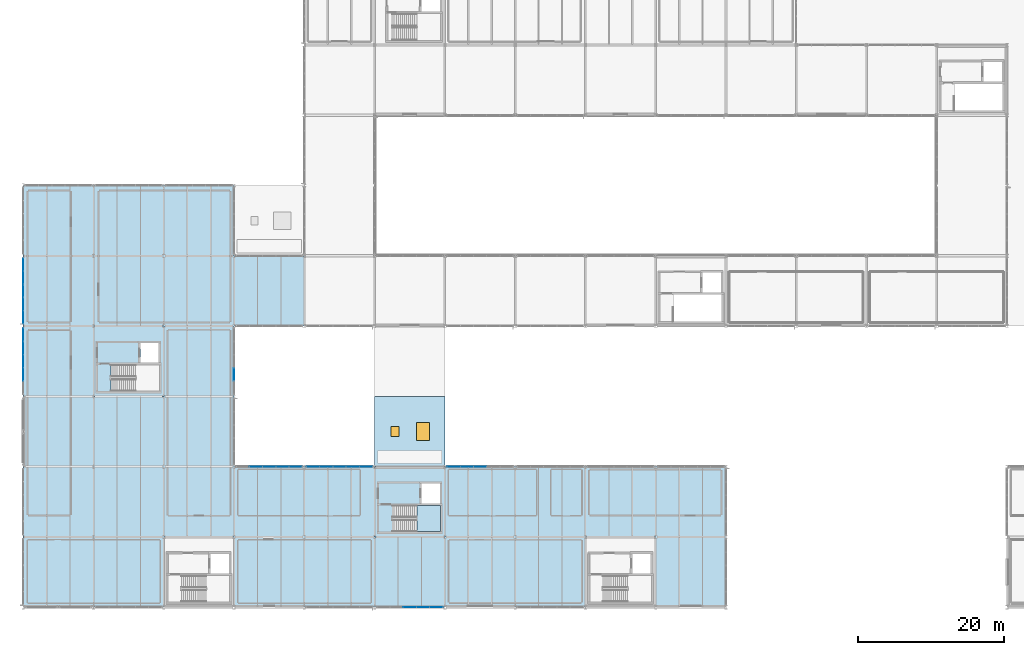
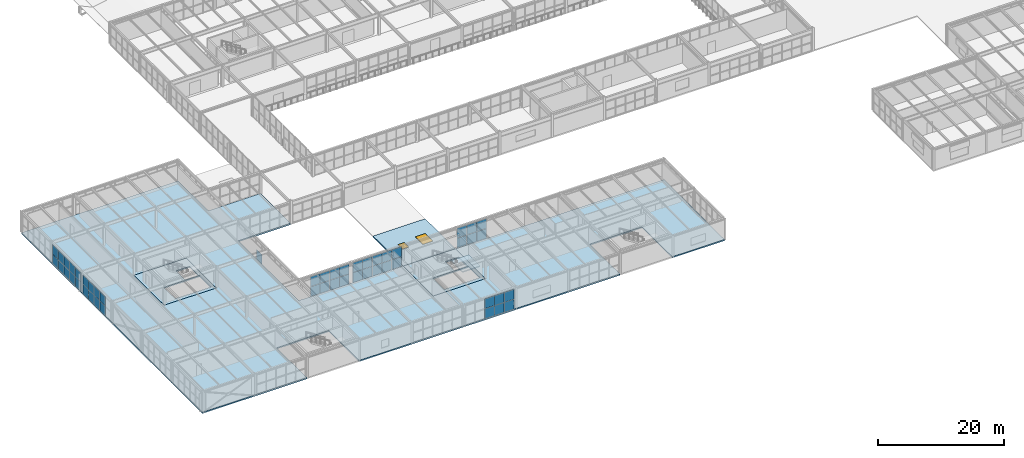
# One storey, part 132 of 170: 49 plates, 5 slabs, 1 door, 1 window, 2 openings, 8 elements without a shape of their own.
"""IFC4 building model written with IfcOpenShell, lengths in metres."""

from ifc_helpers import new_model, si_unit, direction, frame, origin, origin_2d, place, context, subcontext, project, spatial, polyline, rectangle, outline, extrude, material, layer, layer_set, type_object, element, fill, aggregate, save


model = new_model("IFC4")

# Units and contexts
model_context = context("Model", 3, precision=1e-05, world=origin(), true_north=direction((0.0, 1.0)))
body_context = subcontext(model_context, "Body", "Model", "MODEL_VIEW")
ifc_project = project(units=[si_unit("LENGTHUNIT", "METRE"), si_unit("AREAUNIT", "SQUARE_METRE"), si_unit("VOLUMEUNIT", "CUBIC_METRE"), si_unit("PLANEANGLEUNIT", "RADIAN"), si_unit("MASSUNIT", "GRAM", prefix="KILO")], contexts=[model_context])

# Site, building, storey
site_placement = place(None, origin())
site = spatial("IfcSite", under=ifc_project, at=site_placement, CompositionType="ELEMENT")
building_placement = place(site_placement, origin())
building = spatial("IfcBuilding", under=site, at=building_placement, Name="Coralgate Yard Interchange", CompositionType="ELEMENT")
storey_placement = place(building_placement, frame((0.0, 0.0, 6.0)))
storey = spatial("IfcBuildingStorey", under=building, at=storey_placement, Name="L01", CompositionType="ELEMENT", Elevation=6.0)

# Curtain wall, plates
ifc_material_1 = material(Name="Anodised coastal aluminium and solar-control low-E glass", Category="aluminium")
curtain_wall_type_1 = type_object("IfcCurtainWallType", Name="CW-CW-L01-A", PredefinedType="NOTDEFINED", material=ifc_material_1)
curtain_wall_1_placement = place(storey_placement, origin())
curtain_wall_1 = element("IfcCurtainWall", 1, at=curtain_wall_1_placement, inside=storey, type_object=curtain_wall_type_1, Name="L01 unitised curtain wall CW-L01-W-00-03", PredefinedType="NOTDEFINED")
ifc_material_2 = material(Name="Solar-control double-glazed low-E glass unit", Category="glass")
ifc_layer_1 = layer(ifc_material_2, 0.031982421875)
ifc_layer_set_1 = layer_set([ifc_layer_1], Name="Solar-control double-glazed low-E glass unit")
plate_type = type_object("IfcPlateType", Name="PLT-CP-32", PredefinedType="CURTAIN_PANEL", material=ifc_layer_set_1)
plate_1_placement = place(storey_placement, frame((0.0, 31.800048828125, 0.02490234375), z_axis=(0.0, 0.0, 1.0), x_axis=(0.0, 1.0, 0.0)))
plate_1 = element("IfcPlate", 2, at=plate_1_placement, type_object=plate_type, Name="CW-L01-W-00-03 solar-control glazing panel 2-1", PredefinedType="CURTAIN_PANEL", context=body_context, shape_type="SweptSolid", body=[
    extrude(rectangle(XDim=1.75, YDim=0.031982421875, at=origin_2d()), origin(), (0.0, 0.0, 1.0), 1.808349609375),
])
plate_2_placement = place(storey_placement, frame((0.0, 31.800048828125, 1.88330078125), z_axis=(0.0, 0.0, 1.0), x_axis=(0.0, 1.0, 0.0)))
plate_2 = element("IfcPlate", 3, at=plate_2_placement, type_object=plate_type, Name="CW-L01-W-00-03 solar-control glazing panel 2-2", PredefinedType="CURTAIN_PANEL", context=body_context, shape_type="SweptSolid", body=[
    extrude(rectangle(XDim=1.75, YDim=0.031982421875, at=origin_2d()), origin(), (0.0, 0.0, 1.0), 1.808349609375),
])
plate_3_placement = place(storey_placement, frame((0.0, 33.60009765625, 0.02490234375), z_axis=(0.0, 0.0, 1.0), x_axis=(0.0, 1.0, 0.0)))
plate_3 = element("IfcPlate", 4, at=plate_3_placement, type_object=plate_type, Name="CW-L01-W-00-03 solar-control glazing panel 3-1", PredefinedType="CURTAIN_PANEL", context=body_context, shape_type="SweptSolid", body=[
    extrude(rectangle(XDim=1.75, YDim=0.031982421875, at=origin_2d()), origin(), (0.0, 0.0, 1.0), 1.808349609375),
])
plate_4_placement = place(storey_placement, frame((0.0, 33.60009765625, 1.88330078125), z_axis=(0.0, 0.0, 1.0), x_axis=(0.0, 1.0, 0.0)))
plate_4 = element("IfcPlate", 5, at=plate_4_placement, type_object=plate_type, Name="CW-L01-W-00-03 solar-control glazing panel 3-2", PredefinedType="CURTAIN_PANEL", context=body_context, shape_type="SweptSolid", body=[
    extrude(rectangle(XDim=1.75, YDim=0.031982421875, at=origin_2d()), origin(), (0.0, 0.0, 1.0), 1.808349609375),
])
plate_5_placement = place(storey_placement, frame((0.0, 35.39990234375, 0.02490234375), z_axis=(0.0, 0.0, 1.0), x_axis=(0.0, 1.0, 0.0)))
plate_5 = element("IfcPlate", 6, at=plate_5_placement, type_object=plate_type, Name="CW-L01-W-00-03 solar-control glazing panel 4-1", PredefinedType="CURTAIN_PANEL", context=body_context, shape_type="SweptSolid", body=[
    extrude(rectangle(XDim=1.75, YDim=0.031982421875, at=origin_2d()), origin(), (0.0, 0.0, 1.0), 1.808349609375),
])
plate_6_placement = place(storey_placement, frame((0.0, 35.39990234375, 1.88330078125), z_axis=(0.0, 0.0, 1.0), x_axis=(0.0, 1.0, 0.0)))
plate_6 = element("IfcPlate", 7, at=plate_6_placement, type_object=plate_type, Name="CW-L01-W-00-03 solar-control glazing panel 4-2", PredefinedType="CURTAIN_PANEL", context=body_context, shape_type="SweptSolid", body=[
    extrude(rectangle(XDim=1.75, YDim=0.031982421875, at=origin_2d()), origin(), (0.0, 0.0, 1.0), 1.808349609375),
])
plate_7_placement = place(storey_placement, frame((0.0, 37.199951171875, 0.02490234375), z_axis=(0.0, 0.0, 1.0), x_axis=(0.0, 1.0, 0.0)))
plate_7 = element("IfcPlate", 8, at=plate_7_placement, type_object=plate_type, Name="CW-L01-W-00-03 solar-control glazing panel 5-1", PredefinedType="CURTAIN_PANEL", context=body_context, shape_type="SweptSolid", body=[
    extrude(rectangle(XDim=1.75, YDim=0.031982421875, at=origin_2d()), origin(), (0.0, 0.0, 1.0), 1.808349609375),
])
plate_8_placement = place(storey_placement, frame((0.0, 37.199951171875, 1.88330078125), z_axis=(0.0, 0.0, 1.0), x_axis=(0.0, 1.0, 0.0)))
plate_8 = element("IfcPlate", 9, at=plate_8_placement, type_object=plate_type, Name="CW-L01-W-00-03 solar-control glazing panel 5-2", PredefinedType="CURTAIN_PANEL", context=body_context, shape_type="SweptSolid", body=[
    extrude(rectangle(XDim=1.75, YDim=0.031982421875, at=origin_2d()), origin(), (0.0, 0.0, 1.0), 1.808349609375),
])
aggregate(curtain_wall_1, [plate_1, plate_2, plate_3, plate_4, plate_5, plate_6, plate_7, plate_8])

curtain_wall_type_2 = type_object("IfcCurtainWallType", Name="CW-CW-L01-B", PredefinedType="NOTDEFINED", material=ifc_material_1)
curtain_wall_2_placement = place(storey_placement, origin())
curtain_wall_2 = element("IfcCurtainWall", 10, at=curtain_wall_2_placement, inside=storey, type_object=curtain_wall_type_2, Name="L01 unitised curtain wall CW-L01-W-00-04", PredefinedType="NOTDEFINED")
plate_9_placement = place(storey_placement, frame((0.0, 39.60009765625, 0.02490234375), z_axis=(0.0, 0.0, 1.0), x_axis=(0.0, 1.0, 0.0)))
plate_9 = element("IfcPlate", 11, at=plate_9_placement, type_object=plate_type, Name="CW-L01-W-00-04 solar-control glazing panel 1-1", PredefinedType="CURTAIN_PANEL", context=body_context, shape_type="SweptSolid", body=[
    extrude(rectangle(XDim=1.75, YDim=0.031982421875, at=origin_2d()), origin(), (0.0, 0.0, 1.0), 1.808349609375),
])
plate_10_placement = place(storey_placement, frame((0.0, 39.60009765625, 1.88330078125), z_axis=(0.0, 0.0, 1.0), x_axis=(0.0, 1.0, 0.0)))
plate_10 = element("IfcPlate", 12, at=plate_10_placement, type_object=plate_type, Name="CW-L01-W-00-04 solar-control glazing panel 1-2", PredefinedType="CURTAIN_PANEL", context=body_context, shape_type="SweptSolid", body=[
    extrude(rectangle(XDim=1.75, YDim=0.031982421875, at=origin_2d()), origin(), (0.0, 0.0, 1.0), 1.808349609375),
])
plate_11_placement = place(storey_placement, frame((0.0, 41.39990234375, 0.02490234375), z_axis=(0.0, 0.0, 1.0), x_axis=(0.0, 1.0, 0.0)))
plate_11 = element("IfcPlate", 13, at=plate_11_placement, type_object=plate_type, Name="CW-L01-W-00-04 solar-control glazing panel 2-1", PredefinedType="CURTAIN_PANEL", context=body_context, shape_type="SweptSolid", body=[
    extrude(rectangle(XDim=1.75, YDim=0.031982421875, at=origin_2d()), origin(), (0.0, 0.0, 1.0), 1.808349609375),
])
plate_12_placement = place(storey_placement, frame((0.0, 41.39990234375, 1.88330078125), z_axis=(0.0, 0.0, 1.0), x_axis=(0.0, 1.0, 0.0)))
plate_12 = element("IfcPlate", 14, at=plate_12_placement, type_object=plate_type, Name="CW-L01-W-00-04 solar-control glazing panel 2-2", PredefinedType="CURTAIN_PANEL", context=body_context, shape_type="SweptSolid", body=[
    extrude(rectangle(XDim=1.75, YDim=0.031982421875, at=origin_2d()), origin(), (0.0, 0.0, 1.0), 1.808349609375),
])
plate_13_placement = place(storey_placement, frame((0.0, 43.199951171875, 0.02490234375), z_axis=(0.0, 0.0, 1.0), x_axis=(0.0, 1.0, 0.0)))
plate_13 = element("IfcPlate", 15, at=plate_13_placement, type_object=plate_type, Name="CW-L01-W-00-04 solar-control glazing panel 3-1", PredefinedType="CURTAIN_PANEL", context=body_context, shape_type="SweptSolid", body=[
    extrude(rectangle(XDim=1.75, YDim=0.031982421875, at=origin_2d()), origin(), (0.0, 0.0, 1.0), 1.808349609375),
])
plate_14_placement = place(storey_placement, frame((0.0, 43.199951171875, 1.88330078125), z_axis=(0.0, 0.0, 1.0), x_axis=(0.0, 1.0, 0.0)))
plate_14 = element("IfcPlate", 16, at=plate_14_placement, type_object=plate_type, Name="CW-L01-W-00-04 solar-control glazing panel 3-2", PredefinedType="CURTAIN_PANEL", context=body_context, shape_type="SweptSolid", body=[
    extrude(rectangle(XDim=1.75, YDim=0.031982421875, at=origin_2d()), origin(), (0.0, 0.0, 1.0), 1.808349609375),
])
plate_15_placement = place(storey_placement, frame((0.0, 45.0, 0.02490234375), z_axis=(0.0, 0.0, 1.0), x_axis=(0.0, 1.0, 0.0)))
plate_15 = element("IfcPlate", 17, at=plate_15_placement, type_object=plate_type, Name="CW-L01-W-00-04 solar-control glazing panel 4-1", PredefinedType="CURTAIN_PANEL", context=body_context, shape_type="SweptSolid", body=[
    extrude(rectangle(XDim=1.75, YDim=0.031982421875, at=origin_2d()), origin(), (0.0, 0.0, 1.0), 1.808349609375),
])
plate_16_placement = place(storey_placement, frame((0.0, 45.0, 1.88330078125), z_axis=(0.0, 0.0, 1.0), x_axis=(0.0, 1.0, 0.0)))
plate_16 = element("IfcPlate", 18, at=plate_16_placement, type_object=plate_type, Name="CW-L01-W-00-04 solar-control glazing panel 4-2", PredefinedType="CURTAIN_PANEL", context=body_context, shape_type="SweptSolid", body=[
    extrude(rectangle(XDim=1.75, YDim=0.031982421875, at=origin_2d()), origin(), (0.0, 0.0, 1.0), 1.808349609375),
])
plate_17_placement = place(storey_placement, frame((0.0, 46.800048828125, 0.02490234375), z_axis=(0.0, 0.0, 1.0), x_axis=(0.0, 1.0, 0.0)))
plate_17 = element("IfcPlate", 19, at=plate_17_placement, type_object=plate_type, Name="CW-L01-W-00-04 solar-control glazing panel 5-1", PredefinedType="CURTAIN_PANEL", context=body_context, shape_type="SweptSolid", body=[
    extrude(rectangle(XDim=1.75, YDim=0.031982421875, at=origin_2d()), origin(), (0.0, 0.0, 1.0), 1.808349609375),
])
plate_18_placement = place(storey_placement, frame((0.0, 46.800048828125, 1.88330078125), z_axis=(0.0, 0.0, 1.0), x_axis=(0.0, 1.0, 0.0)))
plate_18 = element("IfcPlate", 20, at=plate_18_placement, type_object=plate_type, Name="CW-L01-W-00-04 solar-control glazing panel 5-2", PredefinedType="CURTAIN_PANEL", context=body_context, shape_type="SweptSolid", body=[
    extrude(rectangle(XDim=1.75, YDim=0.031982421875, at=origin_2d()), origin(), (0.0, 0.0, 1.0), 1.808349609375),
])
aggregate(curtain_wall_2, [plate_9, plate_10, plate_11, plate_12, plate_13, plate_14, plate_15, plate_16, plate_17, plate_18])

# Curtain wall, plate
curtain_wall_3_placement = place(storey_placement, origin())
curtain_wall_3 = element("IfcCurtainWall", 21, at=curtain_wall_3_placement, inside=storey, type_object=curtain_wall_type_1, Name="L01 unitised curtain wall CW-L01-E-02-03", PredefinedType="NOTDEFINED")
plate_19_placement = place(storey_placement, frame((28.800048828125, 31.800048828125, 0.02490234375), z_axis=(0.0, 0.0, 1.0), x_axis=(0.0, -1.0, 0.0)))
plate_19 = element("IfcPlate", 22, at=plate_19_placement, type_object=plate_type, Name="CW-L01-E-02-03 solar-control glazing panel 4-1", PredefinedType="CURTAIN_PANEL", context=body_context, shape_type="SweptSolid", body=[
    extrude(rectangle(XDim=1.75, YDim=0.031982421875, at=origin_2d()), origin(), (0.0, 0.0, 1.0), 1.808349609375),
])
aggregate(curtain_wall_3, [plate_19])

# Curtain wall, plates
curtain_wall_4_placement = place(storey_placement, origin())
curtain_wall_4 = element("IfcCurtainWall", 23, at=curtain_wall_4_placement, inside=storey, type_object=curtain_wall_type_1, Name="L01 unitised curtain wall CW-L01-N-03-01", PredefinedType="NOTDEFINED")
plate_20_placement = place(storey_placement, frame((31.800048828125, 19.199951171875, 0.025146484375), z_axis=(0.0, 0.0, 1.0), x_axis=(1.0, 0.0, 0.0)))
plate_20 = element("IfcPlate", 24, at=plate_20_placement, type_object=plate_type, Name="CW-L01-N-03-01 solar-control glazing panel 2-1", PredefinedType="CURTAIN_PANEL", context=body_context, shape_type="SweptSolid", body=[
    extrude(rectangle(XDim=1.75, YDim=0.031982421875, at=origin_2d()), origin(), (0.0, 0.0, 1.0), 1.89990234375),
])
plate_21_placement = place(storey_placement, frame((31.800048828125, 19.199951171875, 1.97509765625), z_axis=(0.0, 0.0, 1.0), x_axis=(1.0, 0.0, 0.0)))
plate_21 = element("IfcPlate", 25, at=plate_21_placement, type_object=plate_type, Name="CW-L01-N-03-01 solar-control glazing panel 2-2", PredefinedType="CURTAIN_PANEL", context=body_context, shape_type="SweptSolid", body=[
    extrude(rectangle(XDim=1.75, YDim=0.031982421875, at=origin_2d()), origin(), (0.0, 0.0, 1.0), 1.89990234375),
])
plate_22_placement = place(storey_placement, frame((33.60009765625, 19.199951171875, 0.025146484375), z_axis=(0.0, 0.0, 1.0), x_axis=(1.0, 0.0, 0.0)))
plate_22 = element("IfcPlate", 26, at=plate_22_placement, type_object=plate_type, Name="CW-L01-N-03-01 solar-control glazing panel 3-1", PredefinedType="CURTAIN_PANEL", context=body_context, shape_type="SweptSolid", body=[
    extrude(rectangle(XDim=1.75, YDim=0.031982421875, at=origin_2d()), origin(), (0.0, 0.0, 1.0), 1.89990234375),
])
plate_23_placement = place(storey_placement, frame((33.60009765625, 19.199951171875, 1.97509765625), z_axis=(0.0, 0.0, 1.0), x_axis=(1.0, 0.0, 0.0)))
plate_23 = element("IfcPlate", 27, at=plate_23_placement, type_object=plate_type, Name="CW-L01-N-03-01 solar-control glazing panel 3-2", PredefinedType="CURTAIN_PANEL", context=body_context, shape_type="SweptSolid", body=[
    extrude(rectangle(XDim=1.75, YDim=0.031982421875, at=origin_2d()), origin(), (0.0, 0.0, 1.0), 1.89990234375),
])
plate_24_placement = place(storey_placement, frame((35.39990234375, 19.199951171875, 0.025146484375), z_axis=(0.0, 0.0, 1.0), x_axis=(1.0, 0.0, 0.0)))
plate_24 = element("IfcPlate", 28, at=plate_24_placement, type_object=plate_type, Name="CW-L01-N-03-01 solar-control glazing panel 4-1", PredefinedType="CURTAIN_PANEL", context=body_context, shape_type="SweptSolid", body=[
    extrude(rectangle(XDim=1.75, YDim=0.031982421875, at=origin_2d()), origin(), (0.0, 0.0, 1.0), 1.89990234375),
])
plate_25_placement = place(storey_placement, frame((35.39990234375, 19.199951171875, 1.97509765625), z_axis=(0.0, 0.0, 1.0), x_axis=(1.0, 0.0, 0.0)))
plate_25 = element("IfcPlate", 29, at=plate_25_placement, type_object=plate_type, Name="CW-L01-N-03-01 solar-control glazing panel 4-2", PredefinedType="CURTAIN_PANEL", context=body_context, shape_type="SweptSolid", body=[
    extrude(rectangle(XDim=1.75, YDim=0.031982421875, at=origin_2d()), origin(), (0.0, 0.0, 1.0), 1.89990234375),
])
plate_26_placement = place(storey_placement, frame((37.199951171875, 19.199951171875, 0.025146484375), z_axis=(0.0, 0.0, 1.0), x_axis=(1.0, 0.0, 0.0)))
plate_26 = element("IfcPlate", 30, at=plate_26_placement, type_object=plate_type, Name="CW-L01-N-03-01 solar-control glazing panel 5-1", PredefinedType="CURTAIN_PANEL", context=body_context, shape_type="SweptSolid", body=[
    extrude(rectangle(XDim=1.75, YDim=0.031982421875, at=origin_2d()), origin(), (0.0, 0.0, 1.0), 1.89990234375),
])
plate_27_placement = place(storey_placement, frame((37.199951171875, 19.199951171875, 1.97509765625), z_axis=(0.0, 0.0, 1.0), x_axis=(1.0, 0.0, 0.0)))
plate_27 = element("IfcPlate", 31, at=plate_27_placement, type_object=plate_type, Name="CW-L01-N-03-01 solar-control glazing panel 5-2", PredefinedType="CURTAIN_PANEL", context=body_context, shape_type="SweptSolid", body=[
    extrude(rectangle(XDim=1.75, YDim=0.031982421875, at=origin_2d()), origin(), (0.0, 0.0, 1.0), 1.89990234375),
])
aggregate(curtain_wall_4, [plate_20, plate_21, plate_22, plate_23, plate_24, plate_25, plate_26, plate_27])

curtain_wall_5_placement = place(storey_placement, origin())
curtain_wall_5 = element("IfcCurtainWall", 32, at=curtain_wall_5_placement, inside=storey, type_object=curtain_wall_type_1, Name="L01 unitised curtain wall CW-L01-N-04-01", PredefinedType="NOTDEFINED")
plate_28_placement = place(storey_placement, frame((39.60009765625, 19.199951171875, 0.025146484375), z_axis=(0.0, 0.0, 1.0), x_axis=(1.0, 0.0, 0.0)))
plate_28 = element("IfcPlate", 33, at=plate_28_placement, type_object=plate_type, Name="CW-L01-N-04-01 solar-control glazing panel 1-1", PredefinedType="CURTAIN_PANEL", context=body_context, shape_type="SweptSolid", body=[
    extrude(rectangle(XDim=1.75, YDim=0.031982421875, at=origin_2d()), origin(), (0.0, 0.0, 1.0), 1.89990234375),
])
plate_29_placement = place(storey_placement, frame((39.60009765625, 19.199951171875, 1.97509765625), z_axis=(0.0, 0.0, 1.0), x_axis=(1.0, 0.0, 0.0)))
plate_29 = element("IfcPlate", 34, at=plate_29_placement, type_object=plate_type, Name="CW-L01-N-04-01 solar-control glazing panel 1-2", PredefinedType="CURTAIN_PANEL", context=body_context, shape_type="SweptSolid", body=[
    extrude(rectangle(XDim=1.75, YDim=0.031982421875, at=origin_2d()), origin(), (0.0, 0.0, 1.0), 1.89990234375),
])
plate_30_placement = place(storey_placement, frame((41.39990234375, 19.199951171875, 0.025146484375), z_axis=(0.0, 0.0, 1.0), x_axis=(1.0, 0.0, 0.0)))
plate_30 = element("IfcPlate", 35, at=plate_30_placement, type_object=plate_type, Name="CW-L01-N-04-01 solar-control glazing panel 2-1", PredefinedType="CURTAIN_PANEL", context=body_context, shape_type="SweptSolid", body=[
    extrude(rectangle(XDim=1.75, YDim=0.031982421875, at=origin_2d()), origin(), (0.0, 0.0, 1.0), 1.89990234375),
])
plate_31_placement = place(storey_placement, frame((41.39990234375, 19.199951171875, 1.97509765625), z_axis=(0.0, 0.0, 1.0), x_axis=(1.0, 0.0, 0.0)))
plate_31 = element("IfcPlate", 36, at=plate_31_placement, type_object=plate_type, Name="CW-L01-N-04-01 solar-control glazing panel 2-2", PredefinedType="CURTAIN_PANEL", context=body_context, shape_type="SweptSolid", body=[
    extrude(rectangle(XDim=1.75, YDim=0.031982421875, at=origin_2d()), origin(), (0.0, 0.0, 1.0), 1.89990234375),
])
plate_32_placement = place(storey_placement, frame((43.199951171875, 19.199951171875, 0.025146484375), z_axis=(0.0, 0.0, 1.0), x_axis=(1.0, 0.0, 0.0)))
plate_32 = element("IfcPlate", 37, at=plate_32_placement, type_object=plate_type, Name="CW-L01-N-04-01 solar-control glazing panel 3-1", PredefinedType="CURTAIN_PANEL", context=body_context, shape_type="SweptSolid", body=[
    extrude(rectangle(XDim=1.75, YDim=0.031982421875, at=origin_2d()), origin(), (0.0, 0.0, 1.0), 1.89990234375),
])
plate_33_placement = place(storey_placement, frame((43.199951171875, 19.199951171875, 1.97509765625), z_axis=(0.0, 0.0, 1.0), x_axis=(1.0, 0.0, 0.0)))
plate_33 = element("IfcPlate", 38, at=plate_33_placement, type_object=plate_type, Name="CW-L01-N-04-01 solar-control glazing panel 3-2", PredefinedType="CURTAIN_PANEL", context=body_context, shape_type="SweptSolid", body=[
    extrude(rectangle(XDim=1.75, YDim=0.031982421875, at=origin_2d()), origin(), (0.0, 0.0, 1.0), 1.89990234375),
])
plate_34_placement = place(storey_placement, frame((45.0, 19.199951171875, 0.025146484375), z_axis=(0.0, 0.0, 1.0), x_axis=(1.0, 0.0, 0.0)))
plate_34 = element("IfcPlate", 39, at=plate_34_placement, type_object=plate_type, Name="CW-L01-N-04-01 solar-control glazing panel 4-1", PredefinedType="CURTAIN_PANEL", context=body_context, shape_type="SweptSolid", body=[
    extrude(rectangle(XDim=1.75, YDim=0.031982421875, at=origin_2d()), origin(), (0.0, 0.0, 1.0), 1.89990234375),
])
plate_35_placement = place(storey_placement, frame((45.0, 19.199951171875, 1.97509765625), z_axis=(0.0, 0.0, 1.0), x_axis=(1.0, 0.0, 0.0)))
plate_35 = element("IfcPlate", 40, at=plate_35_placement, type_object=plate_type, Name="CW-L01-N-04-01 solar-control glazing panel 4-2", PredefinedType="CURTAIN_PANEL", context=body_context, shape_type="SweptSolid", body=[
    extrude(rectangle(XDim=1.75, YDim=0.031982421875, at=origin_2d()), origin(), (0.0, 0.0, 1.0), 1.89990234375),
])
plate_36_placement = place(storey_placement, frame((46.800048828125, 19.199951171875, 0.025146484375), z_axis=(0.0, 0.0, 1.0), x_axis=(1.0, 0.0, 0.0)))
plate_36 = element("IfcPlate", 41, at=plate_36_placement, type_object=plate_type, Name="CW-L01-N-04-01 solar-control glazing panel 5-1", PredefinedType="CURTAIN_PANEL", context=body_context, shape_type="SweptSolid", body=[
    extrude(rectangle(XDim=1.75, YDim=0.031982421875, at=origin_2d()), origin(), (0.0, 0.0, 1.0), 1.89990234375),
])
plate_37_placement = place(storey_placement, frame((46.800048828125, 19.199951171875, 1.97509765625), z_axis=(0.0, 0.0, 1.0), x_axis=(1.0, 0.0, 0.0)))
plate_37 = element("IfcPlate", 42, at=plate_37_placement, type_object=plate_type, Name="CW-L01-N-04-01 solar-control glazing panel 5-2", PredefinedType="CURTAIN_PANEL", context=body_context, shape_type="SweptSolid", body=[
    extrude(rectangle(XDim=1.75, YDim=0.031982421875, at=origin_2d()), origin(), (0.0, 0.0, 1.0), 1.89990234375),
])
aggregate(curtain_wall_5, [plate_28, plate_29, plate_30, plate_31, plate_32, plate_33, plate_34, plate_35, plate_36, plate_37])

curtain_wall_6_placement = place(storey_placement, origin())
curtain_wall_6 = element("IfcCurtainWall", 43, at=curtain_wall_6_placement, inside=storey, type_object=curtain_wall_type_1, Name="L01 unitised curtain wall CW-L01-S-05-00", PredefinedType="NOTDEFINED")
plate_38_placement = place(storey_placement, frame((56.39990234375, 0.0, 0.025146484375), z_axis=(0.0, 0.0, 1.0), x_axis=(-1.0, 0.0, 0.0)))
plate_38 = element("IfcPlate", 44, at=plate_38_placement, type_object=plate_type, Name="CW-L01-S-05-00 solar-control glazing panel 1-1", PredefinedType="CURTAIN_PANEL", context=body_context, shape_type="SweptSolid", body=[
    extrude(rectangle(XDim=1.75, YDim=0.031982421875, at=origin_2d()), origin(), (0.0, 0.0, 1.0), 1.89990234375),
])
plate_39_placement = place(storey_placement, frame((56.39990234375, 0.0, 1.97509765625), z_axis=(0.0, 0.0, 1.0), x_axis=(-1.0, 0.0, 0.0)))
plate_39 = element("IfcPlate", 45, at=plate_39_placement, type_object=plate_type, Name="CW-L01-S-05-00 solar-control glazing panel 1-2", PredefinedType="CURTAIN_PANEL", context=body_context, shape_type="SweptSolid", body=[
    extrude(rectangle(XDim=1.75, YDim=0.031982421875, at=origin_2d()), origin(), (0.0, 0.0, 1.0), 1.89990234375),
])
plate_40_placement = place(storey_placement, frame((54.60009765625, 0.0, 0.025146484375), z_axis=(0.0, 0.0, 1.0), x_axis=(-1.0, 0.0, 0.0)))
plate_40 = element("IfcPlate", 46, at=plate_40_placement, type_object=plate_type, Name="CW-L01-S-05-00 solar-control glazing panel 2-1", PredefinedType="CURTAIN_PANEL", context=body_context, shape_type="SweptSolid", body=[
    extrude(rectangle(XDim=1.75, YDim=0.031982421875, at=origin_2d()), origin(), (0.0, 0.0, 1.0), 1.89990234375),
])
plate_41_placement = place(storey_placement, frame((54.60009765625, 0.0, 1.97509765625), z_axis=(0.0, 0.0, 1.0), x_axis=(-1.0, 0.0, 0.0)))
plate_41 = element("IfcPlate", 47, at=plate_41_placement, type_object=plate_type, Name="CW-L01-S-05-00 solar-control glazing panel 2-2", PredefinedType="CURTAIN_PANEL", context=body_context, shape_type="SweptSolid", body=[
    extrude(rectangle(XDim=1.75, YDim=0.031982421875, at=origin_2d()), origin(), (0.0, 0.0, 1.0), 1.89990234375),
])
plate_42_placement = place(storey_placement, frame((52.800048828125, 0.0, 0.025146484375), z_axis=(0.0, 0.0, 1.0), x_axis=(-1.0, 0.0, 0.0)))
plate_42 = element("IfcPlate", 48, at=plate_42_placement, type_object=plate_type, Name="CW-L01-S-05-00 solar-control glazing panel 3-1", PredefinedType="CURTAIN_PANEL", context=body_context, shape_type="SweptSolid", body=[
    extrude(rectangle(XDim=1.75, YDim=0.031982421875, at=origin_2d()), origin(), (0.0, 0.0, 1.0), 1.89990234375),
])
plate_43_placement = place(storey_placement, frame((52.800048828125, 0.0, 1.97509765625), z_axis=(0.0, 0.0, 1.0), x_axis=(-1.0, 0.0, 0.0)))
plate_43 = element("IfcPlate", 49, at=plate_43_placement, type_object=plate_type, Name="CW-L01-S-05-00 solar-control glazing panel 3-2", PredefinedType="CURTAIN_PANEL", context=body_context, shape_type="SweptSolid", body=[
    extrude(rectangle(XDim=1.75, YDim=0.031982421875, at=origin_2d()), origin(), (0.0, 0.0, 1.0), 1.89990234375),
])
aggregate(curtain_wall_6, [plate_38, plate_39, plate_40, plate_41, plate_42, plate_43])

curtain_wall_7_placement = place(storey_placement, origin())
curtain_wall_7 = element("IfcCurtainWall", 50, at=curtain_wall_7_placement, inside=storey, type_object=curtain_wall_type_2, Name="L01 unitised curtain wall CW-L01-N-06-01", PredefinedType="NOTDEFINED")
plate_44_placement = place(storey_placement, frame((58.800048828125, 19.199951171875, 0.025146484375), z_axis=(0.0, 0.0, 1.0), x_axis=(1.0, 0.0, 0.0)))
plate_44 = element("IfcPlate", 51, at=plate_44_placement, type_object=plate_type, Name="CW-L01-N-06-01 solar-control glazing panel 1-1", PredefinedType="CURTAIN_PANEL", context=body_context, shape_type="SweptSolid", body=[
    extrude(rectangle(XDim=1.75, YDim=0.031982421875, at=origin_2d()), origin(), (0.0, 0.0, 1.0), 1.89990234375),
])
plate_45_placement = place(storey_placement, frame((58.800048828125, 19.199951171875, 1.97509765625), z_axis=(0.0, 0.0, 1.0), x_axis=(1.0, 0.0, 0.0)))
plate_45 = element("IfcPlate", 52, at=plate_45_placement, type_object=plate_type, Name="CW-L01-N-06-01 solar-control glazing panel 1-2", PredefinedType="CURTAIN_PANEL", context=body_context, shape_type="SweptSolid", body=[
    extrude(rectangle(XDim=1.75, YDim=0.031982421875, at=origin_2d()), origin(), (0.0, 0.0, 1.0), 1.89990234375),
])
plate_46_placement = place(storey_placement, frame((60.60009765625, 19.199951171875, 0.025146484375), z_axis=(0.0, 0.0, 1.0), x_axis=(1.0, 0.0, 0.0)))
plate_46 = element("IfcPlate", 53, at=plate_46_placement, type_object=plate_type, Name="CW-L01-N-06-01 solar-control glazing panel 2-1", PredefinedType="CURTAIN_PANEL", context=body_context, shape_type="SweptSolid", body=[
    extrude(rectangle(XDim=1.75, YDim=0.031982421875, at=origin_2d()), origin(), (0.0, 0.0, 1.0), 1.89990234375),
])
plate_47_placement = place(storey_placement, frame((60.60009765625, 19.199951171875, 1.97509765625), z_axis=(0.0, 0.0, 1.0), x_axis=(1.0, 0.0, 0.0)))
plate_47 = element("IfcPlate", 54, at=plate_47_placement, type_object=plate_type, Name="CW-L01-N-06-01 solar-control glazing panel 2-2", PredefinedType="CURTAIN_PANEL", context=body_context, shape_type="SweptSolid", body=[
    extrude(rectangle(XDim=1.75, YDim=0.031982421875, at=origin_2d()), origin(), (0.0, 0.0, 1.0), 1.89990234375),
])
plate_48_placement = place(storey_placement, frame((62.39990234375, 19.199951171875, 0.025146484375), z_axis=(0.0, 0.0, 1.0), x_axis=(1.0, 0.0, 0.0)))
plate_48 = element("IfcPlate", 55, at=plate_48_placement, type_object=plate_type, Name="CW-L01-N-06-01 solar-control glazing panel 3-1", PredefinedType="CURTAIN_PANEL", context=body_context, shape_type="SweptSolid", body=[
    extrude(rectangle(XDim=1.75, YDim=0.031982421875, at=origin_2d()), origin(), (0.0, 0.0, 1.0), 1.89990234375),
])
plate_49_placement = place(storey_placement, frame((62.39990234375, 19.199951171875, 1.97509765625), z_axis=(0.0, 0.0, 1.0), x_axis=(1.0, 0.0, 0.0)))
plate_49 = element("IfcPlate", 56, at=plate_49_placement, type_object=plate_type, Name="CW-L01-N-06-01 solar-control glazing panel 3-2", PredefinedType="CURTAIN_PANEL", context=body_context, shape_type="SweptSolid", body=[
    extrude(rectangle(XDim=1.75, YDim=0.031982421875, at=origin_2d()), origin(), (0.0, 0.0, 1.0), 1.89990234375),
])
aggregate(curtain_wall_7, [plate_44, plate_45, plate_46, plate_47, plate_48, plate_49])

# Stair, slab
ifc_material_3 = material(Name="Concrete C40/50", Category="concrete")
stair_type = type_object("IfcStairType", Name="STR-DL-165-45", PredefinedType="HALF_TURN_STAIR", material=ifc_material_3)
stair_placement = place(storey_placement, origin())
stair = element("IfcStair", 57, at=stair_placement, inside=storey, type_object=stair_type, Name="L01 Escape stair ST-02", PredefinedType="HALF_TURN_STAIR")
ifc_layer_2 = layer(ifc_material_3, 0.199951171875)
ifc_layer_set_2 = layer_set([ifc_layer_2], Name="Concrete C40/50")
slab_type_1 = type_object("IfcSlabType", Name="SLB-LND200", PredefinedType="LANDING", material=ifc_layer_set_2)
slab_1_placement = place(storey_placement, frame((0.0, 0.0, 2.050048828125)))
slab_1 = element("IfcSlab", 58, at=slab_1_placement, type_object=slab_type_1, Name="ST-02 landing 1", PredefinedType="LANDING", context=body_context, shape_type="SweptSolid", body=[
    extrude(outline(polyline([(53.760009765625, 10.320068359375), (57.0, 10.320068359375), (57.0, 13.909912109375), (53.760009765625, 13.909912109375), (53.760009765625, 10.320068359375)])), origin(), (0.0, 0.0, 1.0), 0.199951171875),
])
aggregate(stair, [slab_1])

# Slabs
ifc_layer_3 = layer(ifc_material_3, 0.25)
ifc_layer_set_3 = layer_set([ifc_layer_3], Name="Concrete C40/50")
slab_type_2 = type_object("IfcSlabType", Name="SLB-SL-FLR250", PredefinedType="FLOOR", material=ifc_layer_set_3)
slab_2_placement = place(storey_placement, frame((0.0, 0.0, -0.25)))
element("IfcSlab", 59, at=slab_2_placement, inside=storey, type_object=slab_type_2, Name="L01 core C1 structural floor slab", PredefinedType="FLOOR", context=body_context, shape_type="SweptSolid", body=[
    extrude(outline(polyline([(19.199951171875, 38.39990234375), (19.199951171875, 28.800048828125), (9.60009765625, 28.800048828125), (9.60009765625, 38.39990234375), (19.199951171875, 38.39990234375)]), holes=[polyline([(18.60009765625, 33.110107421875), (12.02001953125, 33.110107421875), (12.02001953125, 29.52001953125), (18.60009765625, 29.52001953125), (18.60009765625, 33.110107421875)]), polyline([(18.5, 33.25), (18.5, 36.10009765625), (16.0, 36.10009765625), (16.0, 33.25), (18.5, 33.25)])]), origin(), (0.0, 0.0, 1.0), 0.25),
])
slab_3_placement = place(storey_placement, frame((0.0, 0.0, -0.25)))
element("IfcSlab", 60, at=slab_3_placement, inside=storey, type_object=slab_type_2, Name="L01 core C2 structural floor slab", PredefinedType="FLOOR", context=body_context, shape_type="SweptSolid", body=[
    extrude(outline(polyline([(57.60009765625, 19.199951171875), (57.60009765625, 9.60009765625), (48.0, 9.60009765625), (48.0, 19.199951171875), (57.60009765625, 19.199951171875)]), holes=[polyline([(57.0, 13.909912109375), (50.419921875, 13.909912109375), (50.419921875, 10.320068359375), (57.0, 10.320068359375), (57.0, 13.909912109375)]), polyline([(56.89990234375, 14.050048828125), (56.89990234375, 16.89990234375), (54.39990234375, 16.89990234375), (54.39990234375, 14.050048828125), (56.89990234375, 14.050048828125)])]), origin(), (0.0, 0.0, 1.0), 0.25),
])
slab_4_placement = place(storey_placement, frame((0.0, 0.0, -0.25)))
element("IfcSlab", 61, at=slab_4_placement, inside=storey, type_object=slab_type_2, Name="L01 operations wing L-shaped composite slab", PredefinedType="FLOOR", context=body_context, shape_type="SweptSolid", body=[
    extrude(outline(polyline([(0.0, 28.800048828125), (0.0, 38.39990234375), (0.0, 48.0), (0.0, 57.60009765625), (9.60009765625, 57.60009765625), (19.199951171875, 57.60009765625), (28.800048828125, 57.60009765625), (28.800048828125, 48.0), (38.39990234375, 48.0), (38.39990234375, 38.39990234375), (28.800048828125, 38.39990234375), (28.800048828125, 28.800048828125), (28.800048828125, 19.199951171875), (38.39990234375, 19.199951171875), (48.0, 19.199951171875), (48.0, 9.60009765625), (57.60009765625, 9.60009765625), (57.60009765625, 19.199951171875), (67.199951171875, 19.199951171875), (76.800048828125, 19.199951171875), (86.39990234375, 19.199951171875), (96.0, 19.199951171875), (96.0, 9.60009765625), (96.0, 0.0), (86.39990234375, 0.0), (86.39990234375, 9.60009765625), (76.800048828125, 9.60009765625), (76.800048828125, 0.0), (67.199951171875, 0.0), (57.60009765625, 0.0), (48.0, 0.0), (38.39990234375, 0.0), (28.800048828125, 0.0), (28.800048828125, 9.60009765625), (19.199951171875, 9.60009765625), (19.199951171875, 0.0), (9.60009765625, 0.0), (0.0, 0.0), (0.0, 9.60009765625), (0.0, 19.199951171875), (0.0, 28.800048828125)]), holes=[polyline([(9.60009765625, 38.39990234375), (9.60009765625, 28.800048828125), (19.199951171875, 28.800048828125), (19.199951171875, 38.39990234375), (9.60009765625, 38.39990234375)])]), origin(), (0.0, 0.0, 1.0), 0.25),
])

# Slab, openings, door, window
ifc_layer_4 = layer(ifc_material_3, 0.219970703125)
ifc_layer_set_4 = layer_set([ifc_layer_4], Name="Concrete C40/50")
slab_type_3 = type_object("IfcSlabType", Name="SLB-SL-RF220", PredefinedType="ROOF", material=ifc_layer_set_4)
slab_5_placement = place(storey_placement, frame((0.0, 0.0, -0.219970703125)))
slab_5 = element("IfcSlab", 62, at=slab_5_placement, inside=storey, type_object=slab_type_3, Name="L01 flat concrete roof bay 2 over L00", PredefinedType="ROOF", context=body_context, shape_type="SweptSolid", body=[
    extrude(outline(polyline([(48.0, 19.199951171875), (57.60009765625, 19.199951171875), (57.60009765625, 28.800048828125), (48.0, 28.800048828125), (48.0, 19.199951171875)])), origin(), (0.0, 0.0, 1.0), 0.219970703125),
])
opening_1_placement = place(slab_5_placement, frame((50.800048828125, 24.0, -0.010009765625)))
opening_1 = element("IfcOpeningElement", 63, at=opening_1_placement, cuts=slab_5, Name="Opening RH-2", PredefinedType="OPENING", context=body_context, shape_type="SweptSolid", body=[
    extrude(rectangle(XDim=1.10009765625, YDim=1.39990234375, at=origin_2d()), origin(), (0.0, 0.0, 1.0), 0.2900390625),
])
opening_2_placement = place(slab_5_placement, frame((54.60009765625, 24.0, -0.010009765625)))
opening_2 = element("IfcOpeningElement", 64, at=opening_2_placement, cuts=slab_5, Name="Opening SK-02", PredefinedType="OPENING", context=body_context, shape_type="SweptSolid", body=[
    extrude(rectangle(XDim=1.800048828125, YDim=2.39990234375, at=origin_2d()), origin(), (0.0, 0.0, 1.0), 0.2900390625),
])
ifc_material_4 = material(Name="Insulated marine aluminium plant roof hatch", Category="aluminium")
door_type = type_object("IfcDoorType", Name="DOR-RH-2", OperationType="NOTDEFINED", PredefinedType="TRAPDOOR", material=ifc_material_4)
door_placement = place(opening_1_placement, frame((0.0, 0.0, 0.22998046875)))
door = element("IfcDoor", 65, at=door_placement, inside=storey, type_object=door_type, Name="L01 maintenance roof access hatch RH-02", OperationType="SINGLE_SWING_LEFT", OverallHeight=1.39990234375, OverallWidth=1.10009765625, PredefinedType="TRAPDOOR", context=body_context, shape_type="SweptSolid", body=[
    extrude(rectangle(XDim=1.10009765625, YDim=1.39990234375, at=origin_2d()), origin(), (0.0, 0.0, 1.0), 0.050048828125),
])
fill(opening_1, door)
ifc_material_5 = material(Name="Thermally broken anodised aluminium and solar-control low-E glass", Category="aluminium")
window_type = type_object("IfcWindowType", Name="WIN-SK-02", PartitioningType="SINGLE_PANEL", PredefinedType="SKYLIGHT", material=ifc_material_5)
window_placement = place(opening_2_placement, frame((0.0, 0.0, 0.22998046875)))
window = element("IfcWindow", 66, at=window_placement, inside=storey, type_object=window_type, Name="L01 insulated roof skylight SK-02", OverallHeight=2.39990234375, OverallWidth=1.800048828125, PartitioningType="SINGLE_PANEL", PredefinedType="SKYLIGHT", context=body_context, shape_type="SweptSolid", body=[
    extrude(rectangle(XDim=1.800048828125, YDim=2.39990234375, at=origin_2d()), origin(), (0.0, 0.0, 1.0), 0.050048828125),
])
fill(opening_2, window)

save(model, "model.ifc")
